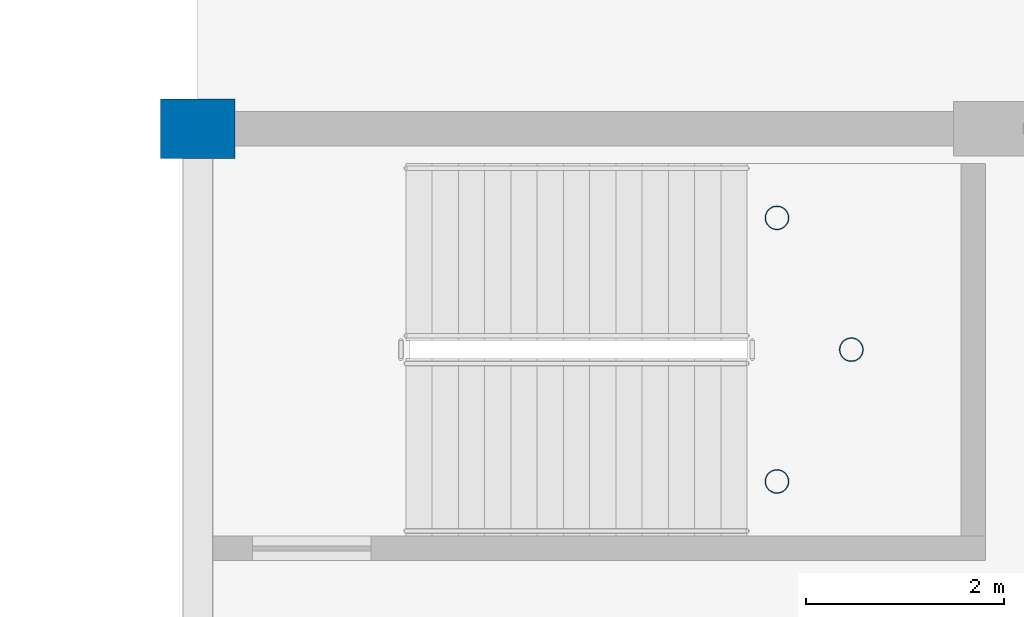
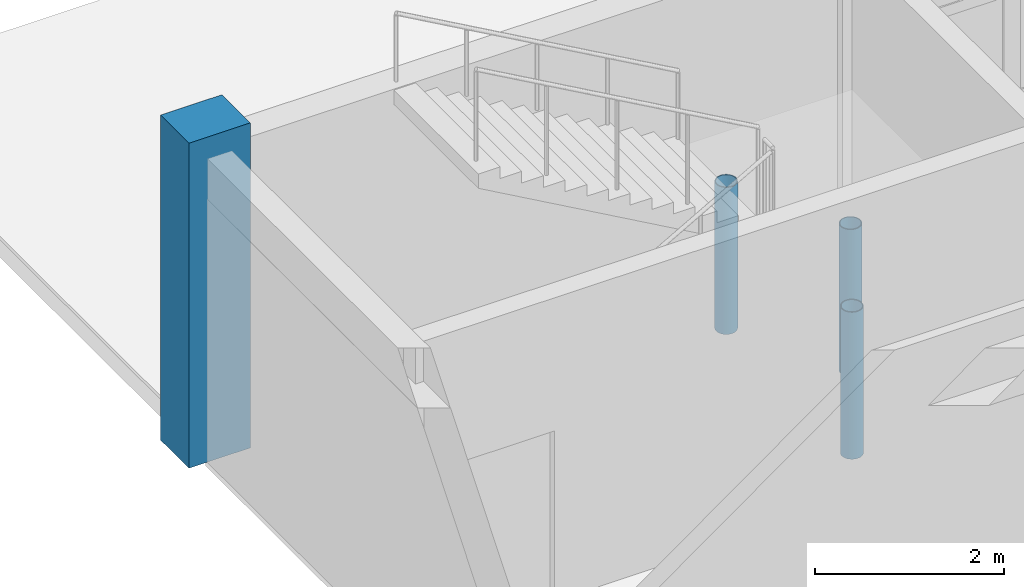
# One storey, part 11 of 195: 4 columns.
"""IFC4 building model written with IfcOpenShell, lengths in metres."""

from ifc_helpers import new_model, si_unit, direction, frame, origin, origin_2d, place, context, subcontext, project, spatial, rectangle, hollow_circle, extrude, material, material_profile, profile_set, type_object, element, save


model = new_model("IFC4")

# Units and contexts
model_context = context("Model", 3, precision=1e-05, world=origin(), true_north=direction((0.0, 1.0)))
body_context = subcontext(model_context, "Body", "Model", "MODEL_VIEW")
ifc_project = project(units=[si_unit("LENGTHUNIT", "METRE"), si_unit("AREAUNIT", "SQUARE_METRE"), si_unit("VOLUMEUNIT", "CUBIC_METRE"), si_unit("PLANEANGLEUNIT", "RADIAN"), si_unit("MASSUNIT", "GRAM", prefix="KILO")], contexts=[model_context])

# Site, building, storey
site_placement = place(None, origin())
site = spatial("IfcSite", under=ifc_project, at=site_placement, CompositionType="ELEMENT")
building_placement = place(site_placement, origin())
building = spatial("IfcBuilding", under=site, at=building_placement, Name="Kharva Crest Polytechnic", CompositionType="ELEMENT")
storey_placement = place(building_placement, frame((0.0, 0.0, 9.0)))
storey = spatial("IfcBuildingStorey", under=building, at=storey_placement, Name="L02", CompositionType="ELEMENT", Elevation=9.0)

# Columns
ifc_material_1 = material(Name="Concrete C40/50", Category="concrete")
ifc_material_profile_1 = material_profile(ifc_material_1, rectangle(XDim=0.75, YDim=0.60009765625, at=origin_2d()), Name="RECT 750 X 600")
ifc_profile_set_1 = profile_set([ifc_material_profile_1], Name="Concrete C40/50")
column_type_1 = type_object("IfcColumnType", Name="COL-EXT-750X600", PredefinedType="COLUMN", material=ifc_profile_set_1)
column_placement = place(storey_placement, frame((120.800048828125, 30.39990234375, 0.0), z_axis=(0.0, 0.0, 1.0), x_axis=(1.0, 0.0, 0.0)))
element("IfcColumn", 1, at=column_placement, inside=storey, type_object=column_type_1, Name="L02 Column 16J/E", PredefinedType="COLUMN", context=body_context, shape_type="SweptSolid", body=[
    extrude(rectangle(XDim=0.75, YDim=0.60009765625, at=origin_2d()), origin(), (0.0, 0.0, 1.0), 4.199951171875),
])
ifc_material_2 = material(Name="Steel S355", Category="steel")
ifc_material_profile_2 = material_profile(ifc_material_2, hollow_circle(Radius=0.122314453125, WallThickness=0.010009765625, at=origin_2d()), Name="CHS 244.5X10.0")
ifc_profile_set_2 = profile_set([ifc_material_profile_2], Name="Steel S355")
column_type_2 = type_object("IfcColumnType", Name="COL-STL-CHS244", PredefinedType="COLUMN", material=ifc_profile_set_2)
for number, where, z_axis, x_axis, name in (
    (2, (126.64501953125, 26.840087890625, 0.0), (0.0, 0.0, 1.0), (1.0, 0.0, 0.0), "L02 Stair ST-07 Landing Support Column SW"),
    (3, (126.64501953125, 29.5, 0.0), (0.0, 0.0, 1.0), (1.0, 0.0, 0.0), "L02 Stair ST-07 Landing Support Column NW"),
    (4, (127.39501953125, 28.169921875, 0.0), (0.0, 0.0, 1.0), (1.0, 0.0, 0.0), "L02 Stair ST-07 Landing Support Column EM"),
):
    element("IfcColumn", number, at=place(storey_placement, frame(where, z_axis=z_axis, x_axis=x_axis)), inside=storey, type_object=column_type_2, Name=name, PredefinedType="COLUMN", context=body_context, shape_type="SweptSolid", body=[
        extrude(hollow_circle(Radius=0.122314453125, WallThickness=0.010009765625, at=origin_2d()), origin(), (0.0, 0.0, 1.0), 1.89990234375),
    ])

save(model, "model.ifc")
